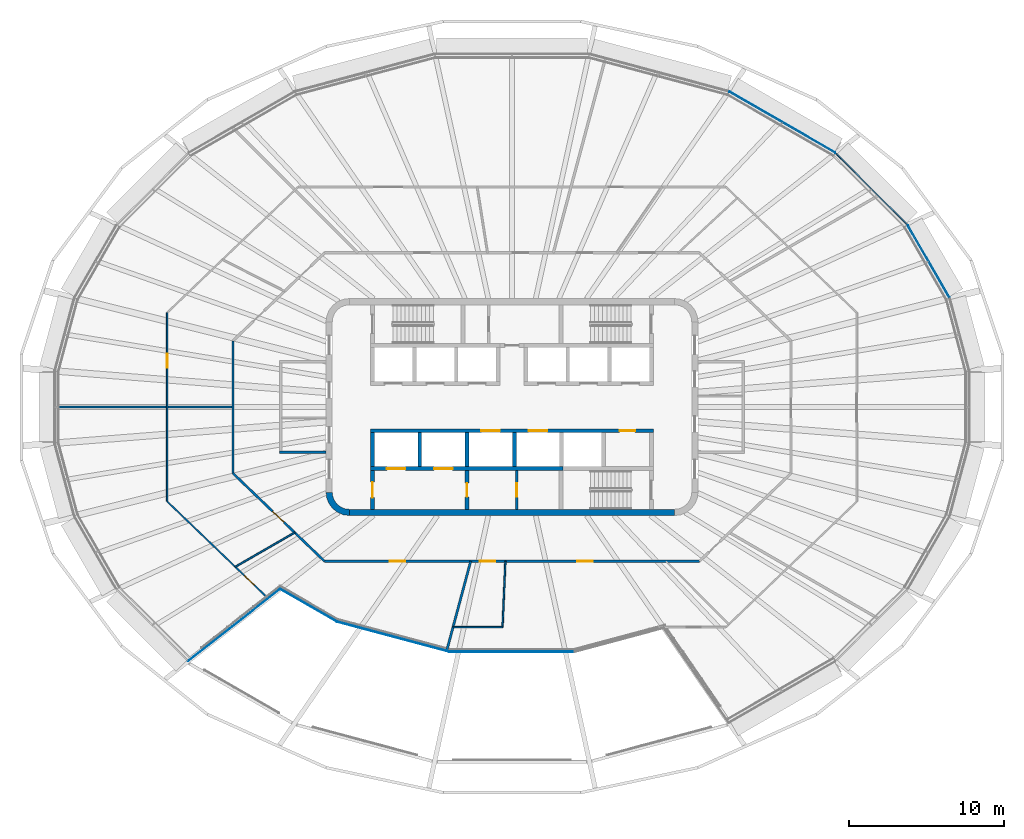
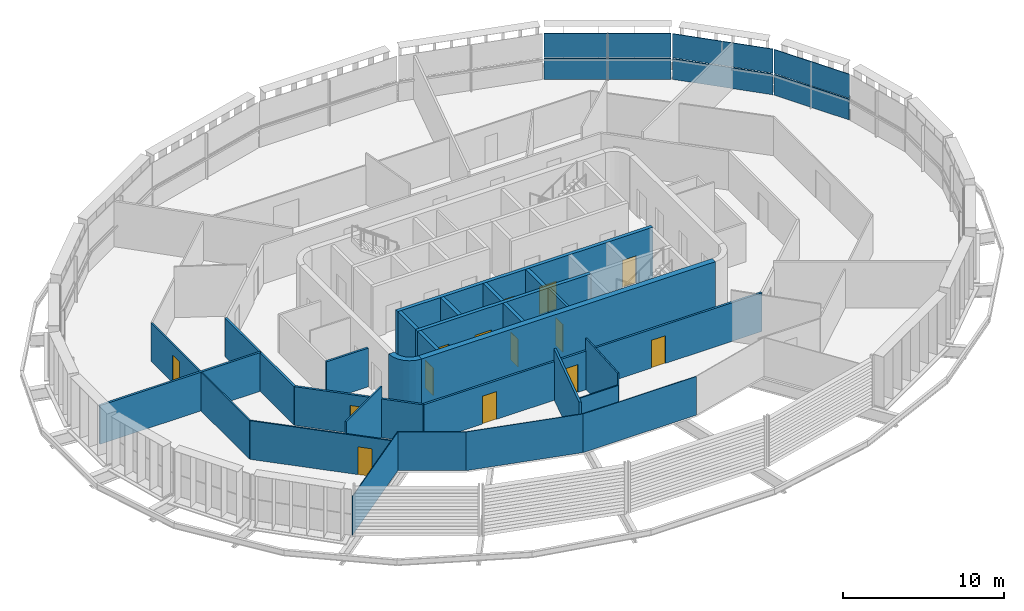
# One storey, part 10 of 19: 26 walls, 14 doors, 6 plates, 14 openings, 3 elements without a shape of their own.
"""IFC4 building model written with IfcOpenShell, lengths in metres."""

from ifc_helpers import new_model, si_unit, direction, frame, frame_2d, origin, place, context, subcontext, project, spatial, polyline, rectangle, outline, extrude, material, layer, layer_set, type_object, element, fill, aggregate, save


model = new_model("IFC4")

# Units and contexts
model_context = context("Model", 3, precision=1e-05, world=origin(), true_north=direction((0.0, 1.0)))
body_context = subcontext(model_context, "Body", "Model", "MODEL_VIEW")
ifc_project = project(units=[si_unit("LENGTHUNIT", "METRE"), si_unit("AREAUNIT", "SQUARE_METRE"), si_unit("VOLUMEUNIT", "CUBIC_METRE"), si_unit("PLANEANGLEUNIT", "RADIAN"), si_unit("MASSUNIT", "GRAM", prefix="KILO")], contexts=[model_context])

# Site, building, storey
site_placement = place(None, origin())
site = spatial("IfcSite", under=ifc_project, at=site_placement, CompositionType="ELEMENT")
building_placement = place(site_placement, origin())
building = spatial("IfcBuilding", under=site, at=building_placement, Name="Sahrelin Media Tower", CompositionType="ELEMENT")
storey_placement = place(building_placement, frame((0.0, 0.0, 275.0)))
storey = spatial("IfcBuildingStorey", under=building, at=storey_placement, Name="L60", CompositionType="ELEMENT", Elevation=275.0)

# Curtain wall, plate
ifc_material_1 = material(Name="Champagne anodised aluminium 6063-T6", Category="aluminium")
ifc_layer_1 = layer(ifc_material_1, 0.14990234375)
ifc_layer_set_1 = layer_set([ifc_layer_1], Name="Tower ribbon curtain wall")
curtain_wall_type = type_object("IfcCurtainWallType", Name="Tower ribbon curtain wall", PredefinedType="NOTDEFINED", material=ifc_layer_set_1)
curtain_wall_1_placement = place(storey_placement, frame((26.886962890625, 9.400146484375, 0.0), z_axis=(0.0, 0.0, 1.0), x_axis=(1.0, 0.0, 0.0)))
curtain_wall_1 = element("IfcCurtainWall", 1, at=curtain_wall_1_placement, inside=storey, type_object=curtain_wall_type, Name="L60:CW:L60-02", PredefinedType="NOTDEFINED")
ifc_material_2 = material(Name="Clear low-iron glazing", Category="glass")
ifc_layer_2 = layer(ifc_material_2, 0.048095703125)
ifc_layer_set_2 = layer_set([ifc_layer_2], Name="Glazing panel 48 mm CW1C")
plate_type_1 = type_object("IfcPlateType", Name="Glazing panel 48 mm CW1C", PredefinedType="CURTAIN_PANEL", material=ifc_layer_set_2)
plate_1_placement = place(storey_placement, frame((28.247802734375, 7.083251953125, 1.6298828125), z_axis=(0.866025958161, 0.49999903979, 0.0), x_axis=(-0.49999903979, 0.866025958161, 0.0)))
plate_1 = element("IfcPlate", 2, at=plate_1_placement, type_object=plate_type_1, Name="L60:CWP2:L60-02", PredefinedType="CURTAIN_PANEL", context=body_context, shape_type="SweptSolid", body=[
    extrude(outline(polyline([(0.0, 0.0), (5.3740234375, 0.0), (5.3740234375, 1.818603515625), (0.0, 1.818603515625), (0.0, 0.0)])), origin(), (0.0, 0.0, -1.0), 0.048095703125),
])

curtain_wall_2_placement = place(storey_placement, frame((23.20849609375, 14.080322265625, 0.0), z_axis=(0.0, 0.0, 1.0), x_axis=(1.0, 0.0, 0.0)))
curtain_wall_2 = element("IfcCurtainWall", 3, at=curtain_wall_2_placement, inside=storey, type_object=curtain_wall_type, Name="L60:CW:L60-03", PredefinedType="NOTDEFINED")
plate_2_placement = place(storey_placement, frame((25.497314453125, 11.820068359375, 1.6298828125), z_axis=(0.707087805841, 0.707125756023, 0.0), x_axis=(-0.707125756023, 0.707087805841, 0.0)))
plate_2 = element("IfcPlate", 4, at=plate_2_placement, type_object=plate_type_1, Name="L60:CWP2:L60-03", PredefinedType="CURTAIN_PANEL", context=body_context, shape_type="SweptSolid", body=[
    extrude(outline(polyline([(0.0, 0.0), (6.43310546875, 0.0), (6.43310546875, 1.818603515625), (0.0, 1.818603515625), (0.0, 0.0)])), origin(), (0.0, 0.0, -1.0), 0.048095703125),
])

curtain_wall_3_placement = place(storey_placement, frame((17.451416015625, 18.380615234375, 0.0), z_axis=(0.0, 0.0, 1.0), x_axis=(1.0, 0.0, 0.0)))
curtain_wall_3 = element("IfcCurtainWall", 5, at=curtain_wall_3_placement, inside=storey, type_object=curtain_wall_type, Name="L60:CW:L60-04", PredefinedType="NOTDEFINED")
plate_3_placement = place(storey_placement, frame((20.865478515625, 16.4326171875, 1.6298828125), z_axis=(0.500000242082, 0.866025264018, 0.0), x_axis=(-0.866025264018, 0.500000242082, 0.0)))
plate_3 = element("IfcPlate", 6, at=plate_3_placement, type_object=plate_type_1, Name="L60:CWP2:L60-04", PredefinedType="CURTAIN_PANEL", context=body_context, shape_type="SweptSolid", body=[
    extrude(outline(polyline([(0.0, 0.0), (7.861328125, 0.0), (7.861328125, 1.818603515625), (0.0, 1.818603515625), (0.0, 0.0)])), origin(), (0.0, 0.0, -1.0), 0.048095703125),
])

# Plate
ifc_material_3 = material(Name="Insulated spandrel panel")
ifc_layer_3 = layer(ifc_material_3, 0.06005859375)
ifc_layer_set_3 = layer_set([ifc_layer_3], Name="Spandrel panel 60 mm CW1")
plate_type_2 = type_object("IfcPlateType", Name="Spandrel panel 60 mm CW1", PredefinedType="SHEET", material=ifc_layer_set_3)
plate_4_placement = place(storey_placement, frame((28.247802734375, 7.083251953125, 0.0), z_axis=(0.866025958161, 0.49999903979, 0.0), x_axis=(-0.49999903979, 0.866025958161, 0.0)))
plate_4 = element("IfcPlate", 7, at=plate_4_placement, type_object=plate_type_2, Name="L60:CWP1:L60-02", PredefinedType="SHEET", context=body_context, shape_type="SweptSolid", body=[
    extrude(outline(polyline([(0.0, 0.0), (5.3740234375, 0.0), (5.3740234375, 1.570068359375), (0.0, 1.570068359375), (0.0, 0.0)])), origin(), (0.0, 0.0, -1.0), 0.06005859375),
])

aggregate(curtain_wall_1, [plate_4, plate_1])

plate_5_placement = place(storey_placement, frame((25.497314453125, 11.820068359375, 0.0), z_axis=(0.707087805841, 0.707125756023, 0.0), x_axis=(-0.707125756023, 0.707087805841, 0.0)))
plate_5 = element("IfcPlate", 8, at=plate_5_placement, type_object=plate_type_2, Name="L60:CWP1:L60-03", PredefinedType="SHEET", context=body_context, shape_type="SweptSolid", body=[
    extrude(outline(polyline([(0.0, 0.0), (6.43310546875, 0.0), (6.43310546875, 1.570068359375), (0.0, 1.570068359375), (0.0, 0.0)])), origin(), (0.0, 0.0, -1.0), 0.06005859375),
])

aggregate(curtain_wall_2, [plate_5, plate_2])

plate_6_placement = place(storey_placement, frame((20.865478515625, 16.4326171875, 0.0), z_axis=(0.500000242082, 0.866025264018, 0.0), x_axis=(-0.866025264018, 0.500000242082, 0.0)))
plate_6 = element("IfcPlate", 9, at=plate_6_placement, type_object=plate_type_2, Name="L60:CWP1:L60-04", PredefinedType="SHEET", context=body_context, shape_type="SweptSolid", body=[
    extrude(outline(polyline([(0.0, 0.0), (7.861328125, 0.0), (7.861328125, 1.570068359375), (0.0, 1.570068359375), (0.0, 0.0)])), origin(), (0.0, 0.0, -1.0), 0.06005859375),
])

aggregate(curtain_wall_3, [plate_6, plate_3])

# Walls
ifc_material_4 = material(Name="Concrete C60/75", Category="concrete")
ifc_layer_4 = layer(ifc_material_4, 0.39990234375)
ifc_layer_set_4 = layer_set([ifc_layer_4], Name="Core wall 400")
wall_type_1 = type_object("IfcWallType", Name="Core wall 400", PredefinedType="SHEAR", material=ifc_layer_set_4)
wall_1_placement = place(storey_placement, frame((-10.5, -6.800048828125, 0.0), z_axis=(0.0, 0.0, 1.0), x_axis=(1.0, 0.0, 0.0)))
element("IfcWall", 10, at=wall_1_placement, inside=storey, type_object=wall_type_1, Name="Core wall S L60", PredefinedType="SHEAR", context=body_context, shape_type="SweptSolid", body=[
    extrude(rectangle(XDim=21.0, YDim=0.39990234375, at=frame_2d((10.5, 0.0))), origin(), (0.0, 0.0, 1.0), 4.0),
])
wall_2_placement = place(storey_placement, origin())
element("IfcWall", 11, at=wall_2_placement, inside=storey, type_object=wall_type_1, Name="Core wall corner SW L60", PredefinedType="SHEAR", context=body_context, shape_type="SweptSolid", body=[
    extrude(outline(polyline([(-10.5, -7.0), (-10.5, -6.596435546875), (-10.78369140625, -6.55908203125), (-11.04833984375, -6.44970703125), (-11.275390625, -6.275390625), (-11.44970703125, -6.04833984375), (-11.55908203125, -5.78369140625), (-11.596435546875, -5.5), (-12.0, -5.5), (-11.948974609375, -5.88818359375), (-11.799072265625, -6.25), (-11.560791015625, -6.560791015625), (-11.25, -6.799072265625), (-10.88818359375, -6.948974609375), (-10.5, -7.0)])), origin(), (0.0, 0.0, 1.0), 4.0),
])

# Wall, opening, door
ifc_material_5 = material(Name="Fire-rated gypsum board partition")
ifc_layer_5 = layer(ifc_material_5, 0.14990234375)
ifc_layer_set_5 = layer_set([ifc_layer_5], Name="Fire-rated partition 150")
wall_type_2 = type_object("IfcWallType", Name="Fire-rated partition 150", PredefinedType="PARTITIONING", material=ifc_layer_set_5)
wall_3_placement = place(storey_placement, frame((0.300048828125, -6.60009765625, 0.0), z_axis=(0.0, 0.0, 1.0), x_axis=(0.0, 1.0, 0.0)))
wall_3 = element("IfcWall", 12, at=wall_3_placement, inside=storey, type_object=wall_type_2, Name="Core room fire partition", PredefinedType="PARTITIONING", context=body_context, shape_type="SweptSolid", body=[
    extrude(rectangle(XDim=2.5, YDim=0.14990234375, at=frame_2d((1.25, 0.0))), origin(), (0.0, 0.0, 1.0), 3.85009765625),
])
opening_1_placement = place(wall_3_placement, frame((0.800048828125, 0.0, 0.0)))
opening_1 = element("IfcOpeningElement", 13, at=opening_1_placement, cuts=wall_3, Name="Opening L60-D08", PredefinedType="OPENING", context=body_context, shape_type="SweptSolid", body=[
    extrude(rectangle(XDim=0.89990234375, YDim=2.10009765625, at=frame_2d((0.449951171875, 1.050048828125))), frame((0.0, 0.074951171875, 0.0), z_axis=(0.0, -1.0, 0.0), x_axis=(1.0, 0.0, 0.0)), (0.0, 0.0, 1.0), 0.14990234375),
])
ifc_material_6 = material(Name="Steel fire door leaf", Category="steel")
door_type_1 = type_object("IfcDoorType", Name="Fire door 900 x 2100 EI 60", OperationType="NOTDEFINED", PredefinedType="DOOR", material=ifc_material_6)
door_1_placement = place(opening_1_placement, origin())
door_1 = element("IfcDoor", 14, at=door_1_placement, inside=storey, type_object=door_type_1, Name="Core room door", OperationType="SINGLE_SWING_RIGHT", OverallHeight=2.10009765625, OverallWidth=0.89990234375, PredefinedType="DOOR", context=body_context, shape_type="SweptSolid", body=[
    extrude(rectangle(XDim=0.89990234375, YDim=2.10009765625, at=frame_2d((0.449951171875, 1.050048828125))), frame((0.0, 0.02490234375, 0.0), z_axis=(0.0, -1.0, 0.0), x_axis=(1.0, 0.0, 0.0)), (0.0, 0.0, 1.0), 0.050048828125),
])
fill(opening_1, door_1)

# Wall
wall_4_placement = place(storey_placement, frame((-15.0, -2.925048828125, 0.0), z_axis=(0.0, 0.0, 1.0), x_axis=(1.0, 0.0, 0.0)))
element("IfcWall", 15, at=wall_4_placement, inside=storey, type_object=wall_type_2, Name="Core room fire partition", PredefinedType="PARTITIONING", context=body_context, shape_type="SweptSolid", body=[
    extrude(rectangle(XDim=3.0, YDim=0.14990234375, at=frame_2d((1.5, 0.0))), origin(), (0.0, 0.0, 1.0), 2.927001953125),
])

# Wall, opening, door
wall_5_placement = place(storey_placement, frame((-18.0, -4.278076171875, 0.0), z_axis=(0.0, 0.0, 1.0), x_axis=(0.721290181137, -0.692633001376, 0.0)))
wall_5 = element("IfcWall", 16, at=wall_5_placement, inside=storey, type_object=wall_type_2, Name="Wall", PredefinedType="PARTITIONING", context=body_context, shape_type="SweptSolid", body=[
    extrude(rectangle(XDim=8.18701171875, YDim=0.14990234375, at=frame_2d((4.093505859375, 0.0))), origin(), (0.0, 0.0, 1.0), 2.927001953125),
])
opening_2_placement = place(wall_5_placement, frame((3.544189453125, 0.0, 0.0)))
opening_2 = element("IfcOpeningElement", 17, at=opening_2_placement, cuts=wall_5, Name="Opening L60-D18", PredefinedType="OPENING", context=body_context, shape_type="SweptSolid", body=[
    extrude(rectangle(XDim=1.0, YDim=2.10009765625, at=frame_2d((0.5, 1.050048828125))), frame((0.0, 0.074951171875, 0.0), z_axis=(0.0, -1.0, 0.0), x_axis=(1.0, 0.0, 0.0)), (0.0, 0.0, 1.0), 0.14990234375),
])
door_type_2 = type_object("IfcDoorType", Name="Fire door 1000 x 2100 EI 60", OperationType="NOTDEFINED", PredefinedType="DOOR", material=ifc_material_6)
door_2_placement = place(opening_2_placement, origin())
door_2 = element("IfcDoor", 18, at=door_2_placement, inside=storey, type_object=door_type_2, Name="Fire door", OperationType="SINGLE_SWING_RIGHT", OverallHeight=2.10009765625, OverallWidth=1.0, PredefinedType="DOOR", context=body_context, shape_type="SweptSolid", body=[
    extrude(rectangle(XDim=1.0, YDim=2.10009765625, at=frame_2d((0.5, 1.050048828125))), frame((0.0, 0.02490234375, 0.0), z_axis=(0.0, -1.0, 0.0), x_axis=(1.0, 0.0, 0.0)), (0.0, 0.0, 1.0), 0.050048828125),
])
fill(opening_2, door_2)

# Wall, openings, doors
wall_6_placement = place(storey_placement, frame((-12.094970703125, -9.948974609375, 0.0), z_axis=(0.0, 0.0, 1.0), x_axis=(1.0, 0.0, 0.0)))
wall_6 = element("IfcWall", 19, at=wall_6_placement, inside=storey, type_object=wall_type_2, Name="Wall", PredefinedType="PARTITIONING", context=body_context, shape_type="SweptSolid", body=[
    extrude(rectangle(XDim=24.18994140625, YDim=0.14990234375, at=frame_2d((12.094970703125, 0.0))), origin(), (0.0, 0.0, 1.0), 2.927001953125),
])
opening_3_placement = place(wall_6_placement, frame((4.214599609375, 0.0, 0.0)))
opening_3 = element("IfcOpeningElement", 20, at=opening_3_placement, cuts=wall_6, Name="Opening L60-D19", PredefinedType="OPENING", context=body_context, shape_type="SweptSolid", body=[
    extrude(rectangle(XDim=1.0, YDim=2.10009765625, at=frame_2d((0.5, 1.050048828125))), frame((0.0, 0.074951171875, 0.0), z_axis=(0.0, -1.0, 0.0), x_axis=(1.0, 0.0, 0.0)), (0.0, 0.0, 1.0), 0.14990234375),
])
opening_4_placement = place(wall_6_placement, frame((10.029052734375, 0.0, 0.0)))
opening_4 = element("IfcOpeningElement", 21, at=opening_4_placement, cuts=wall_6, Name="Opening L60-D21", PredefinedType="OPENING", context=body_context, shape_type="SweptSolid", body=[
    extrude(rectangle(XDim=1.0, YDim=2.10009765625, at=frame_2d((0.5, 1.050048828125))), frame((0.0, 0.074951171875, 0.0), z_axis=(0.0, -1.0, 0.0), x_axis=(1.0, 0.0, 0.0)), (0.0, 0.0, 1.0), 0.14990234375),
])
opening_5_placement = place(wall_6_placement, frame((16.296630859375, 0.0, 0.0)))
opening_5 = element("IfcOpeningElement", 22, at=opening_5_placement, cuts=wall_6, Name="Opening L60-D22", PredefinedType="OPENING", context=body_context, shape_type="SweptSolid", body=[
    extrude(rectangle(XDim=1.0, YDim=2.10009765625, at=frame_2d((0.5, 1.050048828125))), frame((0.0, 0.074951171875, 0.0), z_axis=(0.0, -1.0, 0.0), x_axis=(1.0, 0.0, 0.0)), (0.0, 0.0, 1.0), 0.14990234375),
])
door_3_placement = place(opening_3_placement, origin())
door_3 = element("IfcDoor", 23, at=door_3_placement, inside=storey, type_object=door_type_2, Name="Fire door", OperationType="SINGLE_SWING_LEFT", OverallHeight=2.10009765625, OverallWidth=1.0, PredefinedType="DOOR", context=body_context, shape_type="SweptSolid", body=[
    extrude(rectangle(XDim=1.0, YDim=2.10009765625, at=frame_2d((0.5, 1.050048828125))), frame((0.0, 0.02490234375, 0.0), z_axis=(0.0, -1.0, 0.0), x_axis=(1.0, 0.0, 0.0)), (0.0, 0.0, 1.0), 0.050048828125),
])
fill(opening_3, door_3)
door_4_placement = place(opening_4_placement, origin())
door_4 = element("IfcDoor", 24, at=door_4_placement, inside=storey, type_object=door_type_2, Name="Fire door", OperationType="SINGLE_SWING_RIGHT", OverallHeight=2.10009765625, OverallWidth=1.0, PredefinedType="DOOR", context=body_context, shape_type="SweptSolid", body=[
    extrude(rectangle(XDim=1.0, YDim=2.10009765625, at=frame_2d((0.5, 1.050048828125))), frame((0.0, 0.02490234375, 0.0), z_axis=(0.0, -1.0, 0.0), x_axis=(1.0, 0.0, 0.0)), (0.0, 0.0, 1.0), 0.050048828125),
])
fill(opening_4, door_4)
door_5_placement = place(opening_5_placement, origin())
door_5 = element("IfcDoor", 25, at=door_5_placement, inside=storey, type_object=door_type_2, Name="Fire door", OperationType="SINGLE_SWING_RIGHT", OverallHeight=2.10009765625, OverallWidth=1.0, PredefinedType="DOOR", context=body_context, shape_type="SweptSolid", body=[
    extrude(rectangle(XDim=1.0, YDim=2.10009765625, at=frame_2d((0.5, 1.050048828125))), frame((0.0, 0.02490234375, 0.0), z_axis=(0.0, -1.0, 0.0), x_axis=(1.0, 0.0, 0.0)), (0.0, 0.0, 1.0), 0.050048828125),
])
fill(opening_5, door_5)

# Walls
wall_7_placement = place(storey_placement, frame((-29.513916015625, 0.0, 0.0), z_axis=(0.0, 0.0, 1.0), x_axis=(1.0, 0.0, 0.0)))
element("IfcWall", 26, at=wall_7_placement, inside=storey, type_object=wall_type_2, Name="Wall", PredefinedType="PARTITIONING", context=body_context, shape_type="SweptSolid", body=[
    extrude(rectangle(XDim=11.513916015625, YDim=0.14990234375, at=frame_2d((5.7568359375, 0.0))), origin(), (0.0, 0.0, 1.0), 2.927001953125),
])
wall_8_placement = place(storey_placement, frame((-4.218994140625, -15.74609375, 0.0), z_axis=(0.0, 0.0, 1.0), x_axis=(0.258763874674, 0.965940607472, 0.0)))
element("IfcWall", 27, at=wall_8_placement, inside=storey, type_object=wall_type_2, Name="Wall", PredefinedType="PARTITIONING", context=body_context, shape_type="SweptSolid", body=[
    extrude(rectangle(XDim=6.00146484375, YDim=0.14990234375, at=frame_2d((3.000732421875, 0.0))), origin(), (0.0, 0.0, 1.0), 3.85009765625),
])
wall_9_placement = place(storey_placement, frame((-18.0, -4.278076171875, 0.0), z_axis=(0.0, 0.0, 1.0), x_axis=(0.0, 1.0, 0.0)))
element("IfcWall", 28, at=wall_9_placement, inside=storey, type_object=wall_type_2, Name="Wall", PredefinedType="PARTITIONING", context=body_context, shape_type="SweptSolid", body=[
    extrude(rectangle(XDim=8.55615234375, YDim=0.14990234375, at=frame_2d((4.278076171875, 0.0))), origin(), (0.0, 0.0, 1.0), 2.918212890625),
])

# Wall, opening, door
ifc_layer_6 = layer(ifc_material_5, 0.25)
ifc_layer_set_6 = layer_set([ifc_layer_6], Name="Firefighting lobby wall 250")
wall_type_3 = type_object("IfcWallType", Name="Firefighting lobby wall 250", PredefinedType="PARTITIONING", material=ifc_layer_set_6)
wall_10_placement = place(storey_placement, frame((-9.0, -6.60009765625, 0.0), z_axis=(0.0, 0.0, 1.0), x_axis=(0.0, 1.0, 0.0)))
wall_10 = element("IfcWall", 29, at=wall_10_placement, inside=storey, type_object=wall_type_3, Name="Core wall", PredefinedType="PARTITIONING", context=body_context, shape_type="SweptSolid", body=[
    extrude(rectangle(XDim=2.5, YDim=0.25, at=frame_2d((1.25, 0.0))), origin(), (0.0, 0.0, 1.0), 3.85009765625),
])
opening_6_placement = place(wall_10_placement, frame((0.75, 0.0, 0.0)))
opening_6 = element("IfcOpeningElement", 30, at=opening_6_placement, cuts=wall_10, Name="Opening L60-D04", PredefinedType="OPENING", context=body_context, shape_type="SweptSolid", body=[
    extrude(rectangle(XDim=1.0, YDim=2.10009765625, at=frame_2d((0.5, 1.050048828125))), frame((0.0, 0.125, 0.0), z_axis=(0.0, -1.0, 0.0), x_axis=(1.0, 0.0, 0.0)), (0.0, 0.0, 1.0), 0.25),
])
door_type_3 = type_object("IfcDoorType", Name="Firefighting lobby door 1000 x 2100 EI 120", OperationType="NOTDEFINED", PredefinedType="DOOR", material=ifc_material_6)
door_6_placement = place(opening_6_placement, origin())
door_6 = element("IfcDoor", 31, at=door_6_placement, inside=storey, type_object=door_type_3, Name="Firefighting lobby door", OperationType="SINGLE_SWING_LEFT", OverallHeight=2.10009765625, OverallWidth=1.0, PredefinedType="DOOR", context=body_context, shape_type="SweptSolid", body=[
    extrude(rectangle(XDim=1.0, YDim=2.10009765625, at=frame_2d((0.5, 1.050048828125))), frame((0.0, 0.02490234375, 0.0), z_axis=(0.0, -1.0, 0.0), x_axis=(1.0, 0.0, 0.0)), (0.0, 0.0, 1.0), 0.050048828125),
])
fill(opening_6, door_6)

wall_11_placement = place(storey_placement, frame((-2.89990234375, -6.60009765625, 0.0), z_axis=(0.0, 0.0, 1.0), x_axis=(0.0, 1.0, 0.0)))
wall_11 = element("IfcWall", 32, at=wall_11_placement, inside=storey, type_object=wall_type_3, Name="Core wall", PredefinedType="PARTITIONING", context=body_context, shape_type="SweptSolid", body=[
    extrude(rectangle(XDim=2.5, YDim=0.25, at=frame_2d((1.25, 0.0))), origin(), (0.0, 0.0, 1.0), 3.85009765625),
])
opening_7_placement = place(wall_11_placement, frame((0.800048828125, 0.0, 0.0)))
opening_7 = element("IfcOpeningElement", 33, at=opening_7_placement, cuts=wall_11, Name="Opening L60-D05", PredefinedType="OPENING", context=body_context, shape_type="SweptSolid", body=[
    extrude(rectangle(XDim=0.89990234375, YDim=2.10009765625, at=frame_2d((0.449951171875, 1.050048828125))), frame((0.0, 0.125, 0.0), z_axis=(0.0, -1.0, 0.0), x_axis=(1.0, 0.0, 0.0)), (0.0, 0.0, 1.0), 0.25),
])
door_type_4 = type_object("IfcDoorType", Name="Firefighting lobby door 900 x 2100 EI 120", OperationType="NOTDEFINED", PredefinedType="DOOR", material=ifc_material_6)
door_7_placement = place(opening_7_placement, origin())
door_7 = element("IfcDoor", 34, at=door_7_placement, inside=storey, type_object=door_type_4, Name="Riser door", OperationType="SINGLE_SWING_RIGHT", OverallHeight=2.10009765625, OverallWidth=0.89990234375, PredefinedType="DOOR", context=body_context, shape_type="SweptSolid", body=[
    extrude(rectangle(XDim=0.89990234375, YDim=2.10009765625, at=frame_2d((0.449951171875, 1.050048828125))), frame((0.0, 0.02490234375, 0.0), z_axis=(0.0, -1.0, 0.0), x_axis=(1.0, 0.0, 0.0)), (0.0, 0.0, 1.0), 0.050048828125),
])
fill(opening_7, door_7)

# Walls
ifc_material_7 = material(Name="Clear glass", Category="glass")
ifc_layer_7 = layer(ifc_material_7, 0.050048828125)
ifc_layer_set_7 = layer_set([ifc_layer_7], Name="Glazed partition 50")
wall_type_4 = type_object("IfcWallType", Name="Glazed partition 50", PredefinedType="PARTITIONING", material=ifc_layer_set_7)
wall_12_placement = place(storey_placement, frame((-14.9619140625, -11.735107421875, 0.0), z_axis=(0.0, 0.0, 1.0), x_axis=(0.866051866393, -0.499954162615, 0.0)))
element("IfcWall", 35, at=wall_12_placement, inside=storey, type_object=wall_type_4, Name="Wall", PredefinedType="PARTITIONING", context=body_context, shape_type="SweptSolid", body=[
    extrude(rectangle(XDim=4.22607421875, YDim=0.050048828125, at=frame_2d((2.113037109375, 0.0))), origin(), (0.0, 0.0, 1.0), 2.927001953125),
])
wall_13_placement = place(storey_placement, frame((-11.302001953125, -13.847900390625, 0.0), z_axis=(0.0, 0.0, 1.0), x_axis=(0.966071658889, -0.258274175814, 0.0)))
element("IfcWall", 36, at=wall_13_placement, inside=storey, type_object=wall_type_4, Name="Wall", PredefinedType="PARTITIONING", context=body_context, shape_type="SweptSolid", body=[
    extrude(rectangle(XDim=7.503662109375, YDim=0.050048828125, at=frame_2d((3.751953125, 0.0))), origin(), (0.0, 0.0, 1.0), 2.927001953125),
])
wall_14_placement = place(storey_placement, frame((-4.053955078125, -15.7900390625, 0.0), z_axis=(0.0, 0.0, 1.0), x_axis=(1.0, 0.0, 0.0)))
element("IfcWall", 37, at=wall_14_placement, inside=storey, type_object=wall_type_4, Name="Wall", PredefinedType="PARTITIONING", context=body_context, shape_type="SweptSolid", body=[
    extrude(rectangle(XDim=8.10791015625, YDim=0.050048828125, at=frame_2d((4.053955078125, 0.0))), origin(), (0.0, 0.0, 1.0), 2.927001953125),
])
wall_15_placement = place(storey_placement, frame((-20.899169921875, -16.389892578125, 0.0), z_axis=(0.0, 0.0, 1.0), x_axis=(0.787046572899, 0.616893582467, 0.0)))
element("IfcWall", 38, at=wall_15_placement, inside=storey, type_object=wall_type_4, Name="Wall", PredefinedType="PARTITIONING", context=body_context, shape_type="SweptSolid", body=[
    extrude(rectangle(XDim=7.54443359375, YDim=0.050048828125, at=frame_2d((3.772216796875, 0.0))), origin(), (0.0, 0.0, 1.0), 2.927001953125),
])

# Wall, openings, doors
ifc_layer_8 = layer(ifc_material_4, 0.25)
ifc_layer_set_8 = layer_set([ifc_layer_8], Name="Lift shaft wall 250")
wall_type_5 = type_object("IfcWallType", Name="Lift shaft wall 250", PredefinedType="SOLIDWALL", material=ifc_layer_set_8)
wall_16_placement = place(storey_placement, frame((-9.125, -1.52490234375, 0.0), z_axis=(0.0, 0.0, 1.0), x_axis=(1.0, 0.0, 0.0)))
wall_16 = element("IfcWall", 39, at=wall_16_placement, inside=storey, type_object=wall_type_5, Name="Lift shaft wall", PredefinedType="SOLIDWALL", context=body_context, shape_type="SweptSolid", body=[
    extrude(rectangle(XDim=18.25, YDim=0.25, at=frame_2d((9.125, 0.0))), origin(), (0.0, 0.0, 1.0), 3.85009765625),
])
opening_8_placement = place(wall_16_placement, frame((7.14990234375, 0.0, 0.0)))
opening_8 = element("IfcOpeningElement", 40, at=opening_8_placement, cuts=wall_16, Name="Opening L60-LD-SV1", PredefinedType="OPENING", context=body_context, shape_type="SweptSolid", body=[
    extrude(rectangle(XDim=1.199951171875, YDim=2.10009765625, at=frame_2d((0.60009765625, 1.050048828125))), frame((0.0, 0.125, 0.0), z_axis=(0.0, -1.0, 0.0), x_axis=(1.0, 0.0, 0.0)), (0.0, 0.0, 1.0), 0.25),
])
opening_9_placement = place(wall_16_placement, frame((10.199951171875, 0.0, 0.0)))
opening_9 = element("IfcOpeningElement", 41, at=opening_9_placement, cuts=wall_16, Name="Opening L60-LD-SV2", PredefinedType="OPENING", context=body_context, shape_type="SweptSolid", body=[
    extrude(rectangle(XDim=1.199951171875, YDim=2.10009765625, at=frame_2d((0.60009765625, 1.050048828125))), frame((0.0, 0.125, 0.0), z_axis=(0.0, -1.0, 0.0), x_axis=(1.0, 0.0, 0.0)), (0.0, 0.0, 1.0), 0.25),
])
opening_10_placement = place(wall_16_placement, frame((16.074951171875, 0.0, 0.0)))
opening_10 = element("IfcOpeningElement", 42, at=opening_10_placement, cuts=wall_16, Name="Opening L60-D09", PredefinedType="OPENING", context=body_context, shape_type="SweptSolid", body=[
    extrude(rectangle(XDim=1.0, YDim=2.10009765625, at=frame_2d((0.5, 1.050048828125))), frame((0.0, 0.125, 0.0), z_axis=(0.0, -1.0, 0.0), x_axis=(1.0, 0.0, 0.0)), (0.0, 0.0, 1.0), 0.25),
])
door_8_placement = place(opening_10_placement, origin())
door_8 = element("IfcDoor", 43, at=door_8_placement, inside=storey, type_object=door_type_2, Name="Core room door", OperationType="SINGLE_SWING_RIGHT", OverallHeight=2.10009765625, OverallWidth=1.0, PredefinedType="DOOR", context=body_context, shape_type="SweptSolid", body=[
    extrude(rectangle(XDim=1.0, YDim=2.10009765625, at=frame_2d((0.5, 1.050048828125))), frame((0.0, 0.02490234375, 0.0), z_axis=(0.0, -1.0, 0.0), x_axis=(1.0, 0.0, 0.0)), (0.0, 0.0, 1.0), 0.050048828125),
])
fill(opening_10, door_8)
ifc_material_8 = material(Name="Stainless steel", Category="steel")
door_type_5 = type_object("IfcDoorType", Name="Lift landing door 1200 x 2100 EI 120", OperationType="DOUBLE_DOOR_SLIDING", PredefinedType="DOOR", material=ifc_material_8)
door_9_placement = place(opening_8_placement, origin())
door_9 = element("IfcDoor", 44, at=door_9_placement, inside=storey, type_object=door_type_5, Name="Lift landing door SV1", OperationType="DOUBLE_DOOR_SLIDING", OverallHeight=2.10009765625, OverallWidth=1.199951171875, PredefinedType="DOOR", context=body_context, shape_type="SweptSolid", body=[
    extrude(rectangle(XDim=1.199951171875, YDim=2.10009765625, at=frame_2d((0.60009765625, 1.050048828125))), frame((0.0, 0.02490234375, 0.0), z_axis=(0.0, -1.0, 0.0), x_axis=(1.0, 0.0, 0.0)), (0.0, 0.0, 1.0), 0.050048828125),
])
fill(opening_8, door_9)
door_10_placement = place(opening_9_placement, origin())
door_10 = element("IfcDoor", 45, at=door_10_placement, inside=storey, type_object=door_type_5, Name="Lift landing door SV2", OperationType="DOUBLE_DOOR_SLIDING", OverallHeight=2.10009765625, OverallWidth=1.199951171875, PredefinedType="DOOR", context=body_context, shape_type="SweptSolid", body=[
    extrude(rectangle(XDim=1.199951171875, YDim=2.10009765625, at=frame_2d((0.60009765625, 1.050048828125))), frame((0.0, 0.02490234375, 0.0), z_axis=(0.0, -1.0, 0.0), x_axis=(1.0, 0.0, 0.0)), (0.0, 0.0, 1.0), 0.050048828125),
])
fill(opening_9, door_10)

wall_17_placement = place(storey_placement, frame((-9.125, -3.97509765625, 0.0), z_axis=(0.0, 0.0, 1.0), x_axis=(1.0, 0.0, 0.0)))
wall_17 = element("IfcWall", 46, at=wall_17_placement, inside=storey, type_object=wall_type_5, Name="Lift shaft wall", PredefinedType="SOLIDWALL", context=body_context, shape_type="SweptSolid", body=[
    extrude(rectangle(XDim=12.39990234375, YDim=0.25, at=frame_2d((6.199951171875, 0.0))), origin(), (0.0, 0.0, 1.0), 3.85009765625),
])
opening_11_placement = place(wall_17_placement, frame((1.050048828125, 0.0, 0.0)))
opening_11 = element("IfcOpeningElement", 47, at=opening_11_placement, cuts=wall_17, Name="Opening L60-LD-FF1", PredefinedType="OPENING", context=body_context, shape_type="SweptSolid", body=[
    extrude(rectangle(XDim=1.199951171875, YDim=2.10009765625, at=frame_2d((0.60009765625, 1.050048828125))), frame((0.0, 0.125, 0.0), z_axis=(0.0, -1.0, 0.0), x_axis=(1.0, 0.0, 0.0)), (0.0, 0.0, 1.0), 0.25),
])
opening_12_placement = place(wall_17_placement, frame((4.10009765625, 0.0, 0.0)))
opening_12 = element("IfcOpeningElement", 48, at=opening_12_placement, cuts=wall_17, Name="Opening L60-LD-FF2", PredefinedType="OPENING", context=body_context, shape_type="SweptSolid", body=[
    extrude(rectangle(XDim=1.199951171875, YDim=2.10009765625, at=frame_2d((0.60009765625, 1.050048828125))), frame((0.0, 0.125, 0.0), z_axis=(0.0, -1.0, 0.0), x_axis=(1.0, 0.0, 0.0)), (0.0, 0.0, 1.0), 0.25),
])
door_11_placement = place(opening_11_placement, origin())
door_11 = element("IfcDoor", 49, at=door_11_placement, inside=storey, type_object=door_type_5, Name="Lift landing door FF1", OperationType="DOUBLE_DOOR_SLIDING", OverallHeight=2.10009765625, OverallWidth=1.199951171875, PredefinedType="DOOR", context=body_context, shape_type="SweptSolid", body=[
    extrude(rectangle(XDim=1.199951171875, YDim=2.10009765625, at=frame_2d((0.60009765625, 1.050048828125))), frame((0.0, 0.02490234375, 0.0), z_axis=(0.0, -1.0, 0.0), x_axis=(1.0, 0.0, 0.0)), (0.0, 0.0, 1.0), 0.050048828125),
])
fill(opening_11, door_11)
door_12_placement = place(opening_12_placement, origin())
door_12 = element("IfcDoor", 50, at=door_12_placement, inside=storey, type_object=door_type_5, Name="Lift landing door FF2", OperationType="DOUBLE_DOOR_SLIDING", OverallHeight=2.10009765625, OverallWidth=1.199951171875, PredefinedType="DOOR", context=body_context, shape_type="SweptSolid", body=[
    extrude(rectangle(XDim=1.199951171875, YDim=2.10009765625, at=frame_2d((0.60009765625, 1.050048828125))), frame((0.0, 0.02490234375, 0.0), z_axis=(0.0, -1.0, 0.0), x_axis=(1.0, 0.0, 0.0)), (0.0, 0.0, 1.0), 0.050048828125),
])
fill(opening_12, door_12)

# Walls
for number, where, z_axis, x_axis, name in (
    (51, (-9.0, -3.85009765625, 0.0), (0.0, 0.0, 1.0), (0.0, 1.0, 0.0), "Lift shaft wall"),
    (52, (-5.949951171875, -3.85009765625, 0.0), (0.0, 0.0, 1.0), (0.0, 1.0, 0.0), "Lift shaft wall"),
    (53, (-2.89990234375, -3.85009765625, 0.0), (0.0, 0.0, 1.0), (0.0, 1.0, 0.0), "Lift shaft wall"),
    (54, (0.14990234375, -3.85009765625, 0.0), (0.0, 0.0, 1.0), (0.0, 1.0, 0.0), "Lift shaft wall"),
):
    element("IfcWall", number, at=place(storey_placement, frame(where, z_axis=z_axis, x_axis=x_axis)), inside=storey, type_object=wall_type_5, Name=name, PredefinedType="SOLIDWALL", context=body_context, shape_type="SweptSolid", body=[
        extrude(rectangle(XDim=2.2001953125, YDim=0.25, at=frame_2d((1.10009765625, 0.0))), origin(), (0.0, 0.0, 1.0), 3.85009765625),
    ])

# Wall, opening, door
ifc_material_9 = material(Name="Gypsum board partition")
ifc_layer_9 = layer(ifc_material_9, 0.10009765625)
ifc_layer_set_9 = layer_set([ifc_layer_9], Name="Partition 100")
wall_type_6 = type_object("IfcWallType", Name="Partition 100", PredefinedType="PARTITIONING", material=ifc_layer_set_9)
wall_18_placement = place(storey_placement, frame((-22.25, -6.089111328125, 0.0), z_axis=(0.0, 0.0, 1.0), x_axis=(0.72125329794, -0.692671408542, 0.0)))
wall_18 = element("IfcWall", 55, at=wall_18_placement, inside=storey, type_object=wall_type_6, Name="Wall", PredefinedType="PARTITIONING", context=body_context, shape_type="SweptSolid", body=[
    extrude(rectangle(XDim=9.028564453125, YDim=0.10009765625, at=frame_2d((4.51416015625, 0.0))), origin(), (0.0, 0.0, 1.0), 2.927001953125),
])
opening_13_placement = place(wall_18_placement, frame((6.90087890625, 0.0, 0.0)))
opening_13 = element("IfcOpeningElement", 56, at=opening_13_placement, cuts=wall_18, Name="Opening L60-D20", PredefinedType="OPENING", context=body_context, shape_type="SweptSolid", body=[
    extrude(rectangle(XDim=0.89990234375, YDim=2.10009765625, at=frame_2d((0.449951171875, 1.050048828125))), frame((0.0, 0.050048828125, 0.0), z_axis=(0.0, -1.0, 0.0), x_axis=(1.0, 0.0, 0.0)), (0.0, 0.0, 1.0), 0.10009765625),
])
ifc_material_10 = material(Name="Timber door leaf", Category="wood")
door_type_6 = type_object("IfcDoorType", Name="Single door 900 x 2100", OperationType="NOTDEFINED", PredefinedType="DOOR", material=ifc_material_10)
door_13_placement = place(opening_13_placement, origin())
door_13 = element("IfcDoor", 57, at=door_13_placement, inside=storey, type_object=door_type_6, Name="Single door", OperationType="SINGLE_SWING_RIGHT", OverallHeight=2.10009765625, OverallWidth=0.89990234375, PredefinedType="DOOR", context=body_context, shape_type="SweptSolid", body=[
    extrude(rectangle(XDim=0.89990234375, YDim=2.10009765625, at=frame_2d((0.449951171875, 1.050048828125))), frame((0.0, 0.02490234375, 0.0), z_axis=(0.0, -1.0, 0.0), x_axis=(1.0, 0.0, 0.0)), (0.0, 0.0, 1.0), 0.050048828125),
])
fill(opening_13, door_13)

# Walls
wall_19_placement = place(storey_placement, frame((-3.804931640625, -14.198974609375, 0.0), z_axis=(0.0, 0.0, 1.0), x_axis=(1.0, 0.0, 0.0)))
element("IfcWall", 58, at=wall_19_placement, inside=storey, type_object=wall_type_6, Name="Wall", PredefinedType="PARTITIONING", context=body_context, shape_type="SweptSolid", body=[
    extrude(rectangle(XDim=3.19482421875, YDim=0.10009765625, at=frame_2d((1.597412109375, 0.0))), origin(), (0.0, 0.0, 1.0), 2.927001953125),
])
wall_20_placement = place(storey_placement, frame((-17.85595703125, -10.30908203125, 0.0), z_axis=(0.0, 0.0, 1.0), x_axis=(0.866051440883, 0.49995489971, 0.0)))
element("IfcWall", 59, at=wall_20_placement, inside=storey, type_object=wall_type_6, Name="Wall", PredefinedType="PARTITIONING", context=body_context, shape_type="SweptSolid", body=[
    extrude(rectangle(XDim=4.4248046875, YDim=0.10009765625, at=frame_2d((2.21240234375, 0.0))), origin(), (0.0, 0.0, 1.0), 3.85009765625),
])
wall_21_placement = place(storey_placement, frame((-0.610107421875, -14.198974609375, 0.0), z_axis=(0.0, 0.0, 1.0), x_axis=(0.04304370936, 0.999073190054, 0.0)))
element("IfcWall", 60, at=wall_21_placement, inside=storey, type_object=wall_type_6, Name="Wall", PredefinedType="PARTITIONING", context=body_context, shape_type="SweptSolid", body=[
    extrude(rectangle(XDim=4.25390625, YDim=0.10009765625, at=frame_2d((2.126953125, 0.0))), origin(), (0.0, 0.0, 1.0), 3.85009765625),
])

# Wall, opening, door
wall_22_placement = place(storey_placement, frame((-22.25, -6.089111328125, 0.0), z_axis=(0.0, 0.0, 1.0), x_axis=(0.0, 1.0, 0.0)))
wall_22 = element("IfcWall", 61, at=wall_22_placement, inside=storey, type_object=wall_type_6, Name="Wall", PredefinedType="PARTITIONING", context=body_context, shape_type="SweptSolid", body=[
    extrude(rectangle(XDim=12.17822265625, YDim=0.10009765625, at=frame_2d((6.089111328125, 0.0))), origin(), (0.0, 0.0, 1.0), 2.918212890625),
])
opening_14_placement = place(wall_22_placement, frame((8.63232421875, 0.0, 0.0)))
opening_14 = element("IfcOpeningElement", 62, at=opening_14_placement, cuts=wall_22, Name="Opening L60-D36", PredefinedType="OPENING", context=body_context, shape_type="SweptSolid", body=[
    extrude(rectangle(XDim=0.89990234375, YDim=2.10009765625, at=frame_2d((0.449951171875, 1.050048828125))), frame((0.0, 0.050048828125, 0.0), z_axis=(0.0, -1.0, 0.0), x_axis=(1.0, 0.0, 0.0)), (0.0, 0.0, 1.0), 0.10009765625),
])
door_14_placement = place(opening_14_placement, origin())
door_14 = element("IfcDoor", 63, at=door_14_placement, inside=storey, type_object=door_type_6, Name="Single door", OperationType="SINGLE_SWING_RIGHT", OverallHeight=2.10009765625, OverallWidth=0.89990234375, PredefinedType="DOOR", context=body_context, shape_type="SweptSolid", body=[
    extrude(rectangle(XDim=0.89990234375, YDim=2.10009765625, at=frame_2d((0.449951171875, 1.050048828125))), frame((0.0, 0.02490234375, 0.0), z_axis=(0.0, -1.0, 0.0), x_axis=(1.0, 0.0, 0.0)), (0.0, 0.0, 1.0), 0.050048828125),
])
fill(opening_14, door_14)

save(model, "model.ifc")
